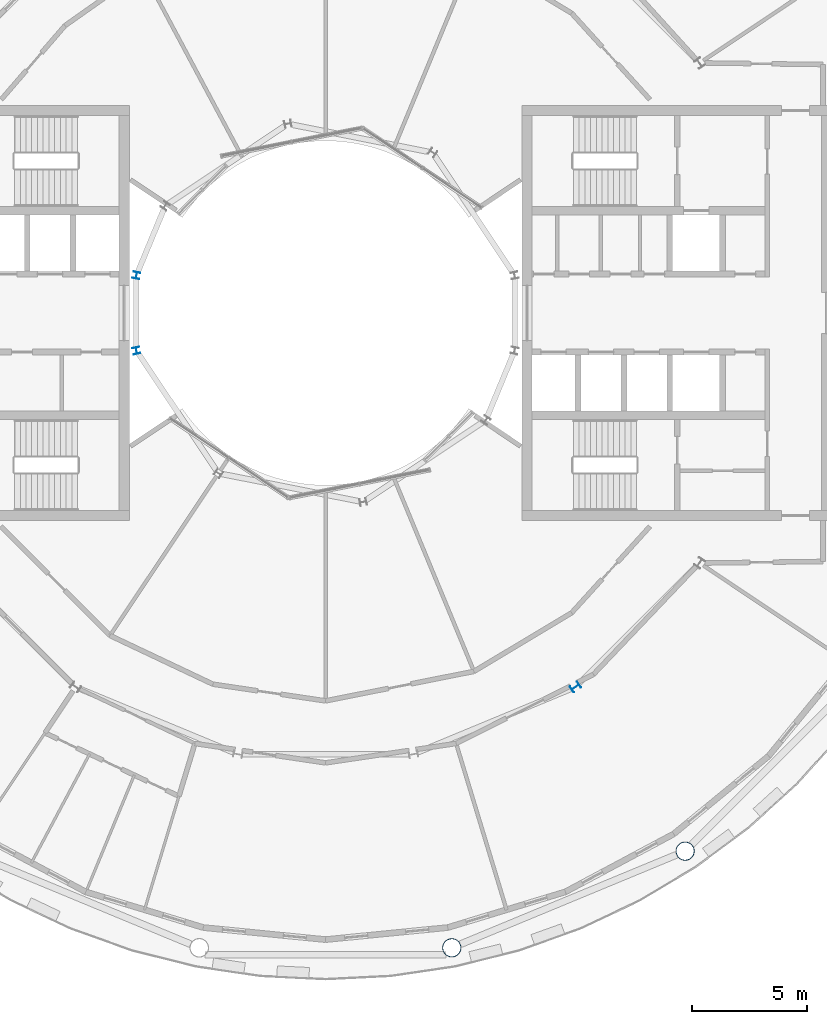
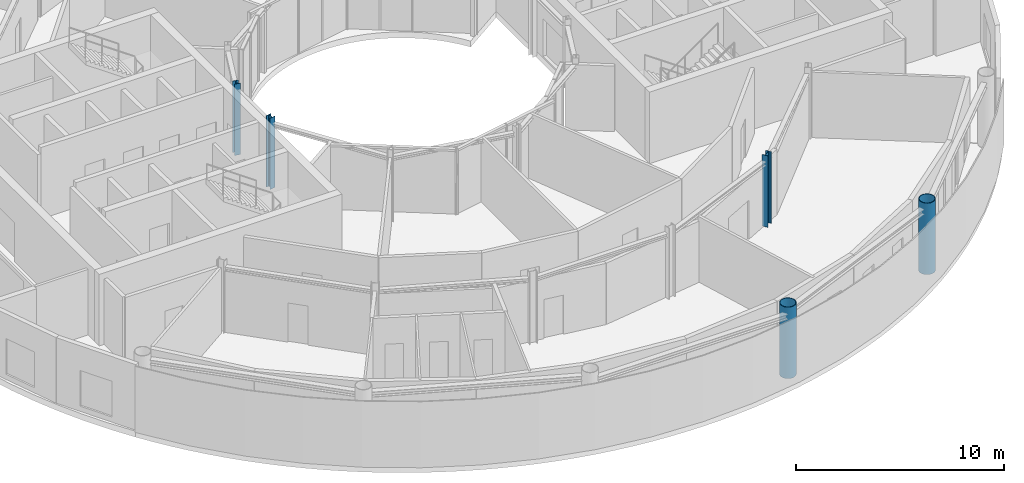
# One storey, part 2 of 22: 5 columns.
"""IFC4 building model written with IfcOpenShell, lengths in metres."""

from ifc_helpers import new_model, si_unit, direction, frame, origin, origin_2d, place, context, subcontext, project, spatial, hollow_circle, i_section, extrude, material, material_profile, profile_set, type_object, element, save


model = new_model("IFC4")

# Units and contexts
model_context = context("Model", 3, precision=1e-05, world=origin(), true_north=direction((0.0, 1.0)))
body_context = subcontext(model_context, "Body", "Model", "MODEL_VIEW")
ifc_project = project(units=[si_unit("LENGTHUNIT", "METRE"), si_unit("AREAUNIT", "SQUARE_METRE"), si_unit("VOLUMEUNIT", "CUBIC_METRE"), si_unit("PLANEANGLEUNIT", "RADIAN"), si_unit("MASSUNIT", "GRAM", prefix="KILO")], contexts=[model_context])

# Site, building, storey
site_placement = place(None, origin())
site = spatial("IfcSite", under=ifc_project, at=site_placement, CompositionType="ELEMENT")
building_placement = place(site_placement, origin())
building = spatial("IfcBuilding", under=site, at=building_placement, Name="Maasbend Ring Residences", CompositionType="ELEMENT")
storey_placement = place(building_placement, frame((0.0, 0.0, 208.5)))
storey = spatial("IfcBuildingStorey", under=building, at=storey_placement, Name="L60", CompositionType="ELEMENT", Elevation=208.5)

# Columns
ifc_material_1 = material(Name="Composite concrete-filled steel tube S460NH / C80/95", Category="concrete")
ifc_material_profile_1 = material_profile(ifc_material_1, hollow_circle(Radius=0.406494140625, WallThickness=0.030029296875, at=origin_2d()), Name="Composite tube column CHS 813x30")
ifc_profile_set_1 = profile_set([ifc_material_profile_1], Name="Composite concrete-filled steel tube S460NH / C80/95")
column_type_1 = type_object("IfcColumnType", Name="Composite tube column CHS 813x30", PredefinedType="COLUMN", material=ifc_profile_set_1)
for number, where, z_axis, x_axis, name in (
    (1, (5.50146484375, -27.658203125, 0.0), (0.0, 0.0, 1.0), (1.0, 0.0, 0.0), "Outer column R13"),
    (2, (15.6669921875, -23.447509765625, 0.0), (0.0, 0.0, 1.0), (1.0, 0.0, 0.0), "Outer column R14"),
):
    element("IfcColumn", number, at=place(storey_placement, frame(where, z_axis=z_axis, x_axis=x_axis)), inside=storey, type_object=column_type_1, Name=name, PredefinedType="COLUMN", context=body_context, shape_type="SweptSolid", body=[
        extrude(hollow_circle(Radius=0.406494140625, WallThickness=0.030029296875, at=origin_2d()), origin(), (0.0, 0.0, 1.0), 4.199951171875),
    ])
ifc_material_2 = material(Name="Steel S355J2", Category="steel")
ifc_material_profile_2 = material_profile(ifc_material_2, i_section(OverallWidth=0.300048828125, OverallDepth=0.2900390625, WebThickness=0.008544921875, FlangeThickness=0.013916015625, FilletRadius=0.027099609375, at=origin_2d()), Name="HEA 300")
ifc_profile_set_2 = profile_set([ifc_material_profile_2], Name="Steel S355J2")
column_type_2 = type_object("IfcColumnType", Name="Steel column HEA 300", PredefinedType="COLUMN", material=ifc_profile_set_2)
for number, where, z_axis, x_axis, name in (
    (3, (-8.238525390625, 1.638916015625, 0.0), (0.0, 0.0, 1.0), (-0.980785280403, 0.195090322016, 0.0), "Well ring column R8"),
    (4, (-8.238525390625, -1.638916015625, 0.0), (0.0, 0.0, 1.0), (-0.980785280403, -0.195090322016, 0.0), "Well ring column R9"),
):
    element("IfcColumn", number, at=place(storey_placement, frame(where, z_axis=z_axis, x_axis=x_axis)), inside=storey, type_object=column_type_2, Name=name, PredefinedType="COLUMN", context=body_context, shape_type="SweptSolid", body=[
        extrude(i_section(OverallWidth=0.300048828125, OverallDepth=0.2900390625, WebThickness=0.008544921875, FlangeThickness=0.013916015625, FilletRadius=0.027099609375, at=origin_2d()), origin(), (0.0, 0.0, 1.0), 4.199951171875),
    ])
ifc_material_3 = material(Name="Steel S355J2", Category="steel")
ifc_material_profile_3 = material_profile(ifc_material_3, i_section(OverallWidth=0.300048828125, OverallDepth=0.39990234375, WebThickness=0.013427734375, FlangeThickness=0.02392578125, FilletRadius=0.027099609375, at=origin_2d()), Name="HEB 400")
ifc_profile_set_3 = profile_set([ifc_material_profile_3], Name="Steel S355J2")
column_type_3 = type_object("IfcColumnType", Name="Steel column HEB 400", PredefinedType="COLUMN", material=ifc_profile_set_3)
column_placement = place(storey_placement, frame((10.88916015625, -16.296875, 0.0), z_axis=(0.0, 0.0, 1.0), x_axis=(0.55557023302, -0.831469612303, 0.0)))
element("IfcColumn", 5, at=column_placement, inside=storey, type_object=column_type_3, Name="Corridor ring column R14", PredefinedType="COLUMN", context=body_context, shape_type="SweptSolid", body=[
    extrude(i_section(OverallWidth=0.300048828125, OverallDepth=0.39990234375, WebThickness=0.013427734375, FlangeThickness=0.02392578125, FilletRadius=0.027099609375, at=origin_2d()), origin(), (0.0, 0.0, 1.0), 4.199951171875),
])

save(model, "model.ifc")
